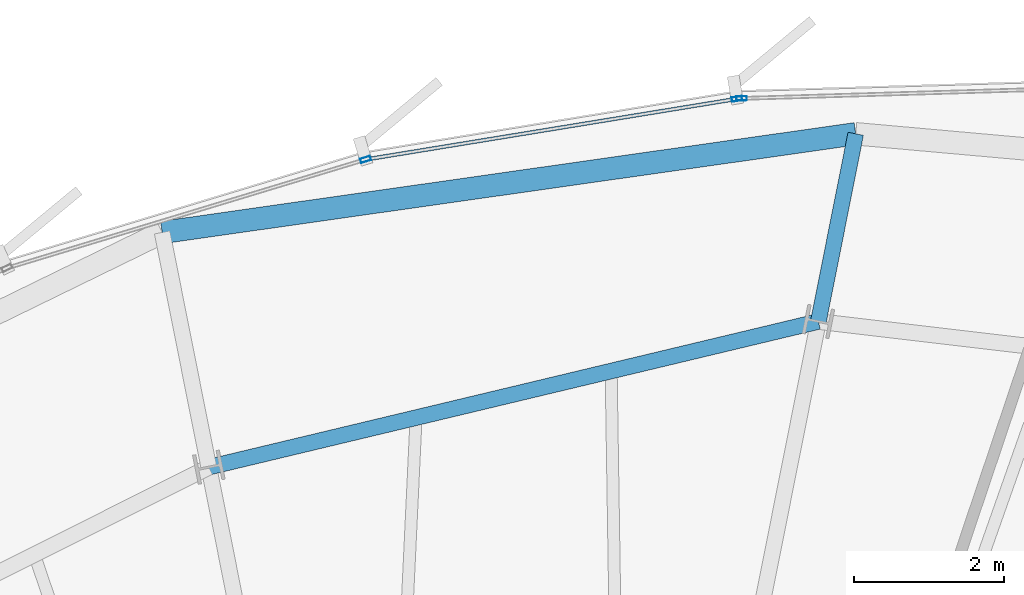
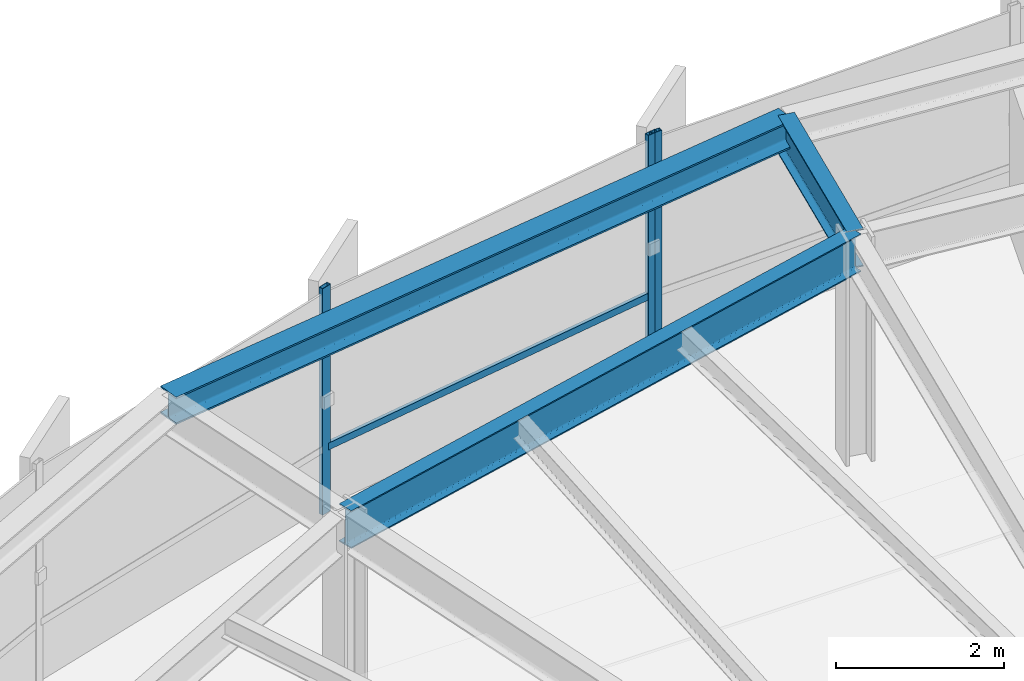
# One storey, part 22 of 36: 4 members, 3 beams, 2 elements without a shape of their own.
"""IFC4 building model written with IfcOpenShell, lengths in metres."""

from ifc_helpers import new_model, si_unit, direction, frame, origin, origin_2d, place, context, subcontext, project, spatial, hollow_rectangle, i_section, extrude, source, transform, mapped, material, layer, layer_set, material_profile, profile_set, type_object, element, aggregate, save


model = new_model("IFC4")

# Units and contexts
model_context = context("Model", 3, precision=1e-05, world=origin(), true_north=direction((0.0, 1.0)))
body_context = subcontext(model_context, "Body", "Model", "MODEL_VIEW")
ifc_project = project(units=[si_unit("LENGTHUNIT", "METRE"), si_unit("AREAUNIT", "SQUARE_METRE"), si_unit("VOLUMEUNIT", "CUBIC_METRE"), si_unit("PLANEANGLEUNIT", "RADIAN"), si_unit("MASSUNIT", "GRAM", prefix="KILO"), si_unit("THERMODYNAMICTEMPERATUREUNIT", "KELVIN")], contexts=[model_context])

# Site, building, storey
site_placement = place(None, origin())
site = spatial("IfcSite", under=ifc_project, at=site_placement, CompositionType="ELEMENT")
building_placement = place(site_placement, origin())
building = spatial("IfcBuilding", under=site, at=building_placement, Name="Kethvar Cultural Tower", CompositionType="ELEMENT")
storey_placement = place(building_placement, frame((0.0, 0.0, 150.10009765625)))
storey = spatial("IfcBuildingStorey", under=building, at=storey_placement, Name="L38", CompositionType="ELEMENT", Elevation=150.10009765625)

# Beams
ifc_material_1 = material(Name="Steel S355J2", Category="steel")
ifc_material_profile_1 = material_profile(ifc_material_1, i_section(OverallWidth=0.2099609375, OverallDepth=0.550048828125, WebThickness=0.010986328125, FlangeThickness=0.01708984375, FilletRadius=0.02392578125, at=origin_2d()), Name="Steel S355J2 — IPE550")
ifc_profile_set_1 = profile_set([ifc_material_profile_1], Name="Steel S355J2 — IPE550")
beam_type_1 = type_object("IfcBeamType", Name="BM-IPE550", PredefinedType="BEAM", material=ifc_profile_set_1)
shared_shape_1 = source(origin(), body_context, "Body", "SweptSolid", [
    extrude(i_section(OverallWidth=0.2099609375, OverallDepth=0.550048828125, WebThickness=0.010986328125, FlangeThickness=0.01708984375, FilletRadius=0.02392578125, at=origin_2d()), origin(), (0.0, 0.0, 1.0), 8.379150390625),
])
beam_1_placement = place(storey_placement, frame((51.068603515625, 49.25927734375, 3.02294921875), z_axis=(-0.972601380857, -0.232479147355, 0.0), x_axis=(0.232479147355, -0.972601380857, 0.0)))
element("IfcBeam", 1, at=beam_1_placement, inside=storey, type_object=beam_type_1, Name="L38 Column Ring Tie Beam CR-04", PredefinedType="BEAM", context=body_context, shape_type="MappedRepresentation", body=[
    mapped(shared_shape_1, transform((0.0, 0.0, 0.0), scale=1.0)),
])
shared_shape_2 = source(origin(), body_context, "Body", "SweptSolid", [
    extrude(i_section(OverallWidth=0.2099609375, OverallDepth=0.550048828125, WebThickness=0.010986328125, FlangeThickness=0.01708984375, FilletRadius=0.02392578125, at=origin_2d()), origin(), (0.0, 0.0, 1.0), 2.55859375),
])
beam_2_placement = place(storey_placement, frame((51.068603515625, 49.25927734375, 3.02294921875), z_axis=(0.195033393843, 0.980796602403, 0.0), x_axis=(-0.980796602403, 0.195033393843, 0.0)))
element("IfcBeam", 2, at=beam_2_placement, inside=storey, type_object=beam_type_1, Name="L38 Perimeter Cantilever Beam RC-04", PredefinedType="BEAM", context=body_context, shape_type="MappedRepresentation", body=[
    mapped(shared_shape_2, transform((0.0, 0.0, 0.0), scale=1.0)),
])
ifc_material_profile_2 = material_profile(ifc_material_1, i_section(OverallWidth=0.300048828125, OverallDepth=0.39990234375, WebThickness=0.013427734375, FlangeThickness=0.02392578125, FilletRadius=0.027099609375, at=origin_2d()), Name="Steel S355J2 — HEB400")
ifc_profile_set_2 = profile_set([ifc_material_profile_2], Name="Steel S355J2 — HEB400")
beam_type_2 = type_object("IfcBeamType", Name="BM-SP400", PredefinedType="SPANDREL", material=ifc_profile_set_2)
shared_shape_3 = source(origin(), body_context, "Body", "SweptSolid", [
    extrude(i_section(OverallWidth=0.300048828125, OverallDepth=0.39990234375, WebThickness=0.013427734375, FlangeThickness=0.02392578125, FilletRadius=0.027099609375, at=origin_2d()), origin(), (0.0, 0.0, 1.0), 9.3662109375),
])
beam_3_placement = place(storey_placement, frame((51.567626953125, 51.768798828125, 3.097900390625), z_axis=(-0.990033251365, -0.140833806991, 0.0), x_axis=(0.140833806991, -0.990033251365, 0.0)))
element("IfcBeam", 3, at=beam_3_placement, inside=storey, type_object=beam_type_2, Name="L38 Perimeter Spandrel Beam SP-04", PredefinedType="SPANDREL", context=body_context, shape_type="MappedRepresentation", body=[
    mapped(shared_shape_3, transform((0.0, 0.0, 0.0), scale=1.0)),
])

# Curtain wall, member
ifc_material_2 = material(Name="Aluminium 6063-T6", Category="aluminium")
ifc_layer = layer(ifc_material_2, 0.179931640625, Name="Aluminium 6063-T6", Category="aluminium")
ifc_layer_set = layer_set([ifc_layer], Name="Aluminium 6063-T6 (180 mm)")
curtain_wall_type = type_object("IfcCurtainWallType", Name="CW-SYS-04-Z34", PredefinedType="NOTDEFINED", material=ifc_layer_set)
curtain_wall_1_placement = place(storey_placement, origin())
curtain_wall_1 = element("IfcCurtainWall", 4, at=curtain_wall_1_placement, inside=storey, type_object=curtain_wall_type, Name="L38 Curtain Wall Run 01", PredefinedType="NOTDEFINED")
ifc_material_profile_3 = material_profile(ifc_material_2, hollow_rectangle(XDim=0.06005859375, YDim=0.139892578125, WallThickness=0.0048828125, at=origin_2d()), Name="Aluminium 6063-T6 — RHS140x60x5")
ifc_profile_set_3 = profile_set([ifc_material_profile_3], Name="Aluminium 6063-T6 — RHS140x60x5")
member_type_1 = type_object("IfcMemberType", Name="CW-SYS-04-Z34-MUL", PredefinedType="MULLION", material=ifc_profile_set_3)
shared_shape_4 = source(origin(), body_context, "Body", "SweptSolid", [
    extrude(hollow_rectangle(XDim=0.06005859375, YDim=0.139892578125, WallThickness=0.0048828125, at=origin_2d()), origin(), (0.0, 0.0, 1.0), 3.2998046875),
])
member_1_placement = place(storey_placement, frame((50.04248046875, 52.24169921875, 0.0), z_axis=(0.0, 0.0, 1.0), x_axis=(0.030137272261, -0.999545769248, 0.0)))
member_1 = element("IfcMember", 5, at=member_1_placement, type_object=member_type_1, Name="CW-L38-R01 Mullion 7", PredefinedType="MULLION", context=body_context, shape_type="MappedRepresentation", body=[
    mapped(shared_shape_4, transform((0.0, 0.0, 0.0), scale=1.0)),
])
aggregate(curtain_wall_1, [member_1])

# Curtain wall, members
curtain_wall_2_placement = place(storey_placement, origin())
curtain_wall_2 = element("IfcCurtainWall", 6, at=curtain_wall_2_placement, inside=storey, type_object=curtain_wall_type, Name="L38 Curtain Wall Run 02", PredefinedType="NOTDEFINED")
member_2_placement = place(storey_placement, frame((49.979248046875, 52.235595703125, 0.0), z_axis=(0.0, 0.0, 1.0), x_axis=(0.161190433782, -0.986923322278, 0.0)))
member_2 = element("IfcMember", 7, at=member_2_placement, type_object=member_type_1, Name="CW-L38-R02 Mullion 1", PredefinedType="MULLION", context=body_context, shape_type="MappedRepresentation", body=[
    mapped(shared_shape_4, transform((0.0, 0.0, 0.0), scale=1.0)),
])
member_3_placement = place(storey_placement, frame((45.01513671875, 51.42578125, 0.0), z_axis=(0.0, 0.0, 1.0), x_axis=(0.289833697531, -0.957077022907, 0.0)))
member_3 = element("IfcMember", 8, at=member_3_placement, type_object=member_type_1, Name="CW-L38-R02 Mullion 2", PredefinedType="MULLION", context=body_context, shape_type="MappedRepresentation", body=[
    mapped(shared_shape_4, transform((0.0, 0.0, 0.0), scale=1.0)),
])
ifc_material_profile_4 = material_profile(ifc_material_2, hollow_rectangle(XDim=0.050048828125, YDim=0.10009765625, WallThickness=0.00390625, at=origin_2d()), Name="Aluminium 6063-T6 — RHS100x50x4")
ifc_profile_set_4 = profile_set([ifc_material_profile_4], Name="Aluminium 6063-T6 — RHS100x50x4")
member_type_2 = type_object("IfcMemberType", Name="CW-SYS-04-Z34-TRN", PredefinedType="USERDEFINED", material=ifc_profile_set_4)
shared_shape_5 = source(origin(), body_context, "Body", "SweptSolid", [
    extrude(hollow_rectangle(XDim=0.050048828125, YDim=0.10009765625, WallThickness=0.00390625, at=origin_2d()), origin(), (0.0, 0.0, 1.0), 4.996826171875),
])
member_4_placement = place(storey_placement, frame((49.97509765625, 52.23486328125, 0.949951171875), z_axis=(-0.98692352336, -0.161189202612, 0.0), x_axis=(0.161189202612, -0.98692352336, 0.0)))
member_4 = element("IfcMember", 9, at=member_4_placement, type_object=member_type_2, Name="CW-L38-R02 Transom 1", ObjectType="TRANSOM", PredefinedType="USERDEFINED", context=body_context, shape_type="MappedRepresentation", body=[
    mapped(shared_shape_5, transform((0.0, 0.0, 0.0), scale=1.0)),
])
aggregate(curtain_wall_2, [member_2, member_3, member_4])

save(model, "model.ifc")
